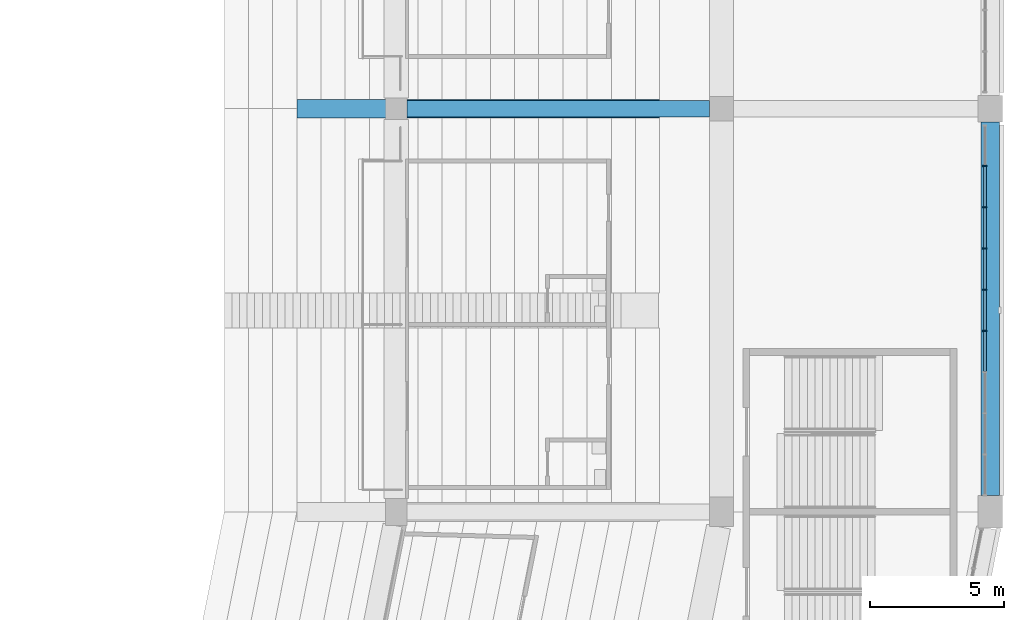
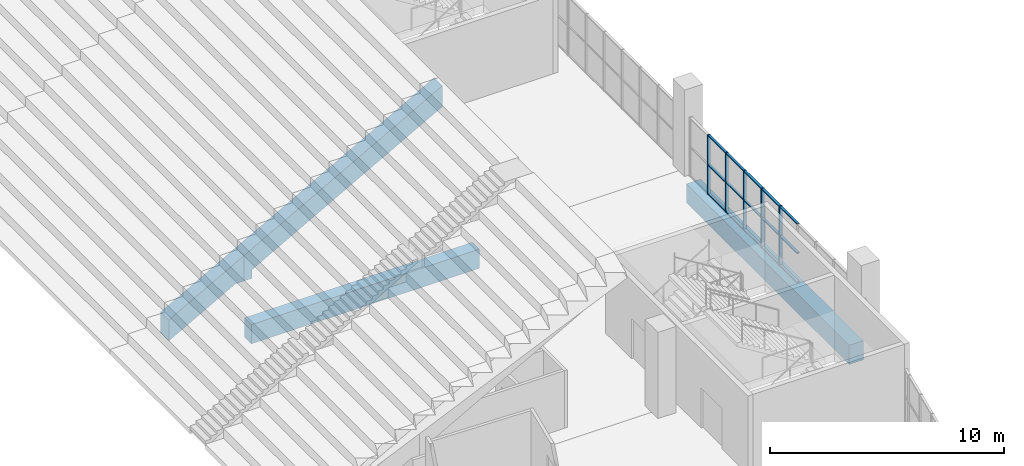
# One storey, part 32 of 249: 20 members, 4 beams, 1 element without a shape of its own.
"""IFC4 building model written with IfcOpenShell, lengths in metres."""

from ifc_helpers import new_model, si_unit, direction, frame, origin, origin_2d, place, context, subcontext, project, spatial, polyline, rectangle, outline, extrude, material, material_profile, profile_set, type_object, element, aggregate, save


model = new_model("IFC4")

# Units and contexts
model_context = context("Model", 3, precision=1e-05, world=origin(), true_north=direction((0.0, 1.0)))
body_context = subcontext(model_context, "Body", "Model", "MODEL_VIEW")
ifc_project = project(units=[si_unit("LENGTHUNIT", "METRE"), si_unit("AREAUNIT", "SQUARE_METRE"), si_unit("VOLUMEUNIT", "CUBIC_METRE"), si_unit("PLANEANGLEUNIT", "RADIAN"), si_unit("MASSUNIT", "GRAM", prefix="KILO")], contexts=[model_context])

# Site, building, storey
site_placement = place(None, origin())
site = spatial("IfcSite", under=ifc_project, at=site_placement, CompositionType="ELEMENT")
building_placement = place(site_placement, origin())
building = spatial("IfcBuilding", under=site, at=building_placement, Name="Ogive Plaza Stadium", CompositionType="ELEMENT")
storey_placement = place(building_placement, frame((0.0, 0.0, 13.5)))
storey = spatial("IfcBuildingStorey", under=building, at=storey_placement, Name="L03", CompositionType="ELEMENT", Elevation=13.5)

# Curtain wall, members
ifc_material_1 = material(Name="Bronze-anodised aluminium with laminated glass", Category="aluminium")
curtain_wall_type = type_object("IfcCurtainWallType", Name="Lancet curtain wall", PredefinedType="NOTDEFINED", material=ifc_material_1)
curtain_wall_placement = place(storey_placement, origin())
curtain_wall = element("IfcCurtainWall", 1, at=curtain_wall_placement, inside=storey, type_object=curtain_wall_type, Name="CURTAIN WALL B07 L03", PredefinedType="NOTDEFINED")
ifc_material_2 = material(Name="Bronze-anodised aluminium", Category="aluminium")
ifc_material_profile_1 = material_profile(ifc_material_2, rectangle(XDim=0.14990234375, YDim=0.050048828125, at=origin_2d()), Name="AL 150x50")
ifc_profile_set_1 = profile_set([ifc_material_profile_1], Name="Bronze-anodised aluminium")
member_type_1 = type_object("IfcMemberType", Name="Curtain wall mullion 50x150", PredefinedType="MULLION", material=ifc_profile_set_1)
member_1_placement = place(storey_placement, frame((83.800048828125, -39.63330078125, 0.0), z_axis=(0.0, 0.0, 1.0), x_axis=(1.0, 0.0, 0.0)))
member_1 = element("IfcMember", 2, at=member_1_placement, type_object=member_type_1, Name="CW-B07-L03 mullion 2", PredefinedType="MULLION", context=body_context, shape_type="SweptSolid", body=[
    extrude(rectangle(XDim=0.14990234375, YDim=0.050048828125, at=origin_2d()), origin(), (0.0, 0.0, 1.0), 3.090087890625),
])
member_2_placement = place(storey_placement, frame((83.800048828125, -41.166748046875, 0.0), z_axis=(0.0, 0.0, 1.0), x_axis=(1.0, 0.0, 0.0)))
member_2 = element("IfcMember", 3, at=member_2_placement, type_object=member_type_1, Name="CW-B07-L03 mullion 3", PredefinedType="MULLION", context=body_context, shape_type="SweptSolid", body=[
    extrude(rectangle(XDim=0.14990234375, YDim=0.050048828125, at=origin_2d()), origin(), (0.0, 0.0, 1.0), 3.090087890625),
])
member_3_placement = place(storey_placement, frame((83.800048828125, -42.699951171875, 0.0), z_axis=(0.0, 0.0, 1.0), x_axis=(1.0, 0.0, 0.0)))
member_3 = element("IfcMember", 4, at=member_3_placement, type_object=member_type_1, Name="CW-B07-L03 mullion 4", PredefinedType="MULLION", context=body_context, shape_type="SweptSolid", body=[
    extrude(rectangle(XDim=0.14990234375, YDim=0.050048828125, at=origin_2d()), origin(), (0.0, 0.0, 1.0), 3.090087890625),
])
member_4_placement = place(storey_placement, frame((83.800048828125, -44.2333984375, 0.0), z_axis=(0.0, 0.0, 1.0), x_axis=(1.0, 0.0, 0.0)))
member_4 = element("IfcMember", 5, at=member_4_placement, type_object=member_type_1, Name="CW-B07-L03 mullion 5", PredefinedType="MULLION", context=body_context, shape_type="SweptSolid", body=[
    extrude(rectangle(XDim=0.14990234375, YDim=0.050048828125, at=origin_2d()), origin(), (0.0, 0.0, 1.0), 3.090087890625),
])
member_5_placement = place(storey_placement, frame((83.800048828125, -45.7666015625, 0.0), z_axis=(0.0, 0.0, 1.0), x_axis=(1.0, 0.0, 0.0)))
member_5 = element("IfcMember", 6, at=member_5_placement, type_object=member_type_1, Name="CW-B07-L03 mullion 6", PredefinedType="MULLION", context=body_context, shape_type="SweptSolid", body=[
    extrude(rectangle(XDim=0.14990234375, YDim=0.050048828125, at=origin_2d()), origin(), (0.0, 0.0, 1.0), 3.090087890625),
])
ifc_material_3 = material(Name="Bronze-anodised aluminium", Category="aluminium")
ifc_material_profile_2 = material_profile(ifc_material_3, rectangle(XDim=0.1201171875, YDim=0.050048828125, at=origin_2d()), Name="AL 120x50")
ifc_profile_set_2 = profile_set([ifc_material_profile_2], Name="Bronze-anodised aluminium")
member_type_2 = type_object("IfcMemberType", Name="Curtain wall transom 50x120", PredefinedType="USERDEFINED", material=ifc_profile_set_2)
member_6_placement = place(storey_placement, frame((83.800048828125, -39.658447265625, 0.02490234375), z_axis=(0.0, -1.0, 0.0), x_axis=(1.0, 0.0, 0.0)))
member_6 = element("IfcMember", 7, at=member_6_placement, type_object=member_type_2, Name="CW-B07-L03 transom 2.1", ObjectType="TRANSOM", PredefinedType="USERDEFINED", context=body_context, shape_type="SweptSolid", body=[
    extrude(rectangle(XDim=0.1201171875, YDim=0.050048828125, at=origin_2d()), origin(), (0.0, 0.0, 1.0), 1.483154296875),
])
member_7_placement = place(storey_placement, frame((83.800048828125, -39.658447265625, 1.544921875), z_axis=(0.0, -1.0, 0.0), x_axis=(1.0, 0.0, 0.0)))
member_7 = element("IfcMember", 8, at=member_7_placement, type_object=member_type_2, Name="CW-B07-L03 transom 2.2", ObjectType="TRANSOM", PredefinedType="USERDEFINED", context=body_context, shape_type="SweptSolid", body=[
    extrude(rectangle(XDim=0.1201171875, YDim=0.050048828125, at=origin_2d()), origin(), (0.0, 0.0, 1.0), 1.483154296875),
])
member_8_placement = place(storey_placement, frame((83.800048828125, -39.658447265625, 3.06494140625), z_axis=(0.0, -1.0, 0.0), x_axis=(1.0, 0.0, 0.0)))
member_8 = element("IfcMember", 9, at=member_8_placement, type_object=member_type_2, Name="CW-B07-L03 transom 2.3", ObjectType="TRANSOM", PredefinedType="USERDEFINED", context=body_context, shape_type="SweptSolid", body=[
    extrude(rectangle(XDim=0.1201171875, YDim=0.050048828125, at=origin_2d()), origin(), (0.0, 0.0, 1.0), 1.483154296875),
])
member_9_placement = place(storey_placement, frame((83.800048828125, -41.191650390625, 0.02490234375), z_axis=(0.0, -1.0, 0.0), x_axis=(1.0, 0.0, 0.0)))
member_9 = element("IfcMember", 10, at=member_9_placement, type_object=member_type_2, Name="CW-B07-L03 transom 3.1", ObjectType="TRANSOM", PredefinedType="USERDEFINED", context=body_context, shape_type="SweptSolid", body=[
    extrude(rectangle(XDim=0.1201171875, YDim=0.050048828125, at=origin_2d()), origin(), (0.0, 0.0, 1.0), 1.4833984375),
])
member_10_placement = place(storey_placement, frame((83.800048828125, -41.191650390625, 1.544921875), z_axis=(0.0, -1.0, 0.0), x_axis=(1.0, 0.0, 0.0)))
member_10 = element("IfcMember", 11, at=member_10_placement, type_object=member_type_2, Name="CW-B07-L03 transom 3.2", ObjectType="TRANSOM", PredefinedType="USERDEFINED", context=body_context, shape_type="SweptSolid", body=[
    extrude(rectangle(XDim=0.1201171875, YDim=0.050048828125, at=origin_2d()), origin(), (0.0, 0.0, 1.0), 1.4833984375),
])
member_11_placement = place(storey_placement, frame((83.800048828125, -41.191650390625, 3.06494140625), z_axis=(0.0, -1.0, 0.0), x_axis=(1.0, 0.0, 0.0)))
member_11 = element("IfcMember", 12, at=member_11_placement, type_object=member_type_2, Name="CW-B07-L03 transom 3.3", ObjectType="TRANSOM", PredefinedType="USERDEFINED", context=body_context, shape_type="SweptSolid", body=[
    extrude(rectangle(XDim=0.1201171875, YDim=0.050048828125, at=origin_2d()), origin(), (0.0, 0.0, 1.0), 1.4833984375),
])
member_12_placement = place(storey_placement, frame((83.800048828125, -42.72509765625, 0.02490234375), z_axis=(0.0, -1.0, 0.0), x_axis=(1.0, 0.0, 0.0)))
member_12 = element("IfcMember", 13, at=member_12_placement, type_object=member_type_2, Name="CW-B07-L03 transom 4.1", ObjectType="TRANSOM", PredefinedType="USERDEFINED", context=body_context, shape_type="SweptSolid", body=[
    extrude(rectangle(XDim=0.1201171875, YDim=0.050048828125, at=origin_2d()), origin(), (0.0, 0.0, 1.0), 1.483154296875),
])
member_13_placement = place(storey_placement, frame((83.800048828125, -42.72509765625, 1.544921875), z_axis=(0.0, -1.0, 0.0), x_axis=(1.0, 0.0, 0.0)))
member_13 = element("IfcMember", 14, at=member_13_placement, type_object=member_type_2, Name="CW-B07-L03 transom 4.2", ObjectType="TRANSOM", PredefinedType="USERDEFINED", context=body_context, shape_type="SweptSolid", body=[
    extrude(rectangle(XDim=0.1201171875, YDim=0.050048828125, at=origin_2d()), origin(), (0.0, 0.0, 1.0), 1.483154296875),
])
member_14_placement = place(storey_placement, frame((83.800048828125, -42.72509765625, 3.06494140625), z_axis=(0.0, -1.0, 0.0), x_axis=(1.0, 0.0, 0.0)))
member_14 = element("IfcMember", 15, at=member_14_placement, type_object=member_type_2, Name="CW-B07-L03 transom 4.3", ObjectType="TRANSOM", PredefinedType="USERDEFINED", context=body_context, shape_type="SweptSolid", body=[
    extrude(rectangle(XDim=0.1201171875, YDim=0.050048828125, at=origin_2d()), origin(), (0.0, 0.0, 1.0), 1.483154296875),
])
member_15_placement = place(storey_placement, frame((83.800048828125, -44.25830078125, 0.02490234375), z_axis=(0.0, -1.0, 0.0), x_axis=(1.0, 0.0, 0.0)))
member_15 = element("IfcMember", 16, at=member_15_placement, type_object=member_type_2, Name="CW-B07-L03 transom 5.1", ObjectType="TRANSOM", PredefinedType="USERDEFINED", context=body_context, shape_type="SweptSolid", body=[
    extrude(rectangle(XDim=0.1201171875, YDim=0.050048828125, at=origin_2d()), origin(), (0.0, 0.0, 1.0), 1.4833984375),
])
member_16_placement = place(storey_placement, frame((83.800048828125, -44.25830078125, 1.544921875), z_axis=(0.0, -1.0, 0.0), x_axis=(1.0, 0.0, 0.0)))
member_16 = element("IfcMember", 17, at=member_16_placement, type_object=member_type_2, Name="CW-B07-L03 transom 5.2", ObjectType="TRANSOM", PredefinedType="USERDEFINED", context=body_context, shape_type="SweptSolid", body=[
    extrude(rectangle(XDim=0.1201171875, YDim=0.050048828125, at=origin_2d()), origin(), (0.0, 0.0, 1.0), 1.4833984375),
])
member_17_placement = place(storey_placement, frame((83.800048828125, -44.25830078125, 3.06494140625), z_axis=(0.0, -1.0, 0.0), x_axis=(1.0, 0.0, 0.0)))
member_17 = element("IfcMember", 18, at=member_17_placement, type_object=member_type_2, Name="CW-B07-L03 transom 5.3", ObjectType="TRANSOM", PredefinedType="USERDEFINED", context=body_context, shape_type="SweptSolid", body=[
    extrude(rectangle(XDim=0.1201171875, YDim=0.050048828125, at=origin_2d()), origin(), (0.0, 0.0, 1.0), 1.4833984375),
])
member_18_placement = place(storey_placement, frame((83.800048828125, -45.791748046875, 0.02490234375), z_axis=(0.0, -1.0, 0.0), x_axis=(1.0, 0.0, 0.0)))
member_18 = element("IfcMember", 19, at=member_18_placement, type_object=member_type_2, Name="CW-B07-L03 transom 6.1", ObjectType="TRANSOM", PredefinedType="USERDEFINED", context=body_context, shape_type="SweptSolid", body=[
    extrude(rectangle(XDim=0.1201171875, YDim=0.050048828125, at=origin_2d()), origin(), (0.0, 0.0, 1.0), 1.483154296875),
])
member_19_placement = place(storey_placement, frame((83.800048828125, -45.791748046875, 1.544921875), z_axis=(0.0, -1.0, 0.0), x_axis=(1.0, 0.0, 0.0)))
member_19 = element("IfcMember", 20, at=member_19_placement, type_object=member_type_2, Name="CW-B07-L03 transom 6.2", ObjectType="TRANSOM", PredefinedType="USERDEFINED", context=body_context, shape_type="SweptSolid", body=[
    extrude(rectangle(XDim=0.1201171875, YDim=0.050048828125, at=origin_2d()), origin(), (0.0, 0.0, 1.0), 1.483154296875),
])
member_20_placement = place(storey_placement, frame((83.800048828125, -45.791748046875, 3.06494140625), z_axis=(0.0, -1.0, 0.0), x_axis=(1.0, 0.0, 0.0)))
member_20 = element("IfcMember", 21, at=member_20_placement, type_object=member_type_2, Name="CW-B07-L03 transom 6.3", ObjectType="TRANSOM", PredefinedType="USERDEFINED", context=body_context, shape_type="SweptSolid", body=[
    extrude(rectangle(XDim=0.1201171875, YDim=0.050048828125, at=origin_2d()), origin(), (0.0, 0.0, 1.0), 1.483154296875),
])
aggregate(curtain_wall, [member_1, member_2, member_3, member_4, member_5, member_6, member_7, member_8, member_9, member_10, member_11, member_12, member_13, member_14, member_15, member_16, member_17, member_18, member_19, member_20])

# Beams
ifc_material_4 = material(Name="Concrete C45/55 precast", Category="concrete")
ifc_material_profile_3 = material_profile(ifc_material_4, rectangle(XDim=0.699951171875, YDim=1.10009765625, at=origin_2d()), Name="RC 700x1100")
ifc_profile_set_3 = profile_set([ifc_material_profile_3], Name="Concrete C45/55 precast")
beam_type_1 = type_object("IfcBeamType", Name="Precast raker UT back-span 700x1100", PredefinedType="USERDEFINED", material=ifc_profile_set_3)
beam_1_placement = place(storey_placement, frame((34.0, -37.5, -13.5), z_axis=(0.0, 0.0, 1.0), x_axis=(1.0, 0.0, 0.0)))
element("IfcBeam", 22, at=beam_1_placement, inside=storey, type_object=beam_type_1, Name="RAKER UT BACK-SPAN R07", ObjectType="RAKER", PredefinedType="USERDEFINED", context=body_context, shape_type="SweptSolid", body=[
    extrude(outline(polyline([(27.89990234375, 15.533203125), (28.300048828125, 15.533203125), (28.300048828125, 15.977783203125), (37.699951171875, 21.199951171875), (37.699951171875, 22.300048828125), (27.89990234375, 16.855712890625), (27.89990234375, 15.533203125)])), frame((0.0, 0.35009765625, 0.0), z_axis=(0.0, -1.0, 0.0), x_axis=(1.0, 0.0, 0.0)), (0.0, 0.0, 1.0), 0.699951171875),
])
ifc_material_5 = material(Name="Concrete C45/55 precast", Category="concrete")
ifc_material_profile_4 = material_profile(ifc_material_5, rectangle(XDim=0.699951171875, YDim=1.10009765625, at=origin_2d()), Name="RC 700x1100")
ifc_profile_set_4 = profile_set([ifc_material_profile_4], Name="Concrete C45/55 precast")
beam_type_2 = type_object("IfcBeamType", Name="Precast raker UT cantilever 700x1100", PredefinedType="USERDEFINED", material=ifc_profile_set_4)
beam_2_placement = place(storey_placement, frame((34.0, -37.5, -13.5), z_axis=(0.0, 0.0, 1.0), x_axis=(1.0, 0.0, 0.0)))
element("IfcBeam", 23, at=beam_2_placement, inside=storey, type_object=beam_type_2, Name="RAKER UT CANTILEVER R07", ObjectType="RAKER", PredefinedType="USERDEFINED", context=body_context, shape_type="SweptSolid", body=[
    extrude(outline(polyline([(24.199951171875, 13.699951171875), (27.5, 15.533203125), (27.89990234375, 15.533203125), (27.89990234375, 16.855712890625), (24.199951171875, 14.800048828125), (24.199951171875, 13.699951171875)])), frame((0.0, 0.35009765625, 0.0), z_axis=(0.0, -1.0, 0.0), x_axis=(1.0, 0.0, 0.0)), (0.0, 0.0, 1.0), 0.699951171875),
])
ifc_material_6 = material(Name="Concrete C40/50", Category="concrete")
ifc_material_profile_5 = material_profile(ifc_material_6, rectangle(XDim=0.60009765625, YDim=1.0, at=origin_2d()), Name="RC 600x1000")
ifc_profile_set_5 = profile_set([ifc_material_profile_5], Name="Concrete C40/50")
beam_type_3 = type_object("IfcBeamType", Name="RC radial beam 600x1000", PredefinedType="BEAM", material=ifc_profile_set_5)
beam_3_placement = place(storey_placement, frame((62.300048828125, -37.5, -0.909912109375), z_axis=(1.0, 0.0, 0.0), x_axis=(0.0, 1.0, 0.0)))
element("IfcBeam", 24, at=beam_3_placement, inside=storey, type_object=beam_type_3, Name="Radial beam L03 R07 F3F4", PredefinedType="BEAM", context=body_context, shape_type="SweptSolid", body=[
    extrude(rectangle(XDim=0.60009765625, YDim=1.0, at=origin_2d()), origin(), (0.0, 0.0, 1.0), 11.25),
])
ifc_material_7 = material(Name="Concrete C40/50", Category="concrete")
ifc_material_profile_6 = material_profile(ifc_material_7, rectangle(XDim=0.699951171875, YDim=1.0, at=origin_2d()), Name="RC 700x1000")
ifc_profile_set_6 = profile_set([ifc_material_profile_6], Name="Concrete C40/50")
beam_type_4 = type_object("IfcBeamType", Name="RC spandrel beam 700x1000", PredefinedType="SPANDREL", material=ifc_profile_set_6)
beam_4_placement = place(storey_placement, frame((84.0, -38.0, -0.909912109375), z_axis=(0.0, -1.0, 0.0), x_axis=(1.0, 0.0, 0.0)))
element("IfcBeam", 25, at=beam_4_placement, inside=storey, type_object=beam_type_4, Name="Ring beam F5 L03 B07", PredefinedType="SPANDREL", context=body_context, shape_type="SweptSolid", body=[
    extrude(rectangle(XDim=0.699951171875, YDim=1.0, at=origin_2d()), origin(), (0.0, 0.0, 1.0), 13.89990234375),
])

save(model, "model.ifc")
